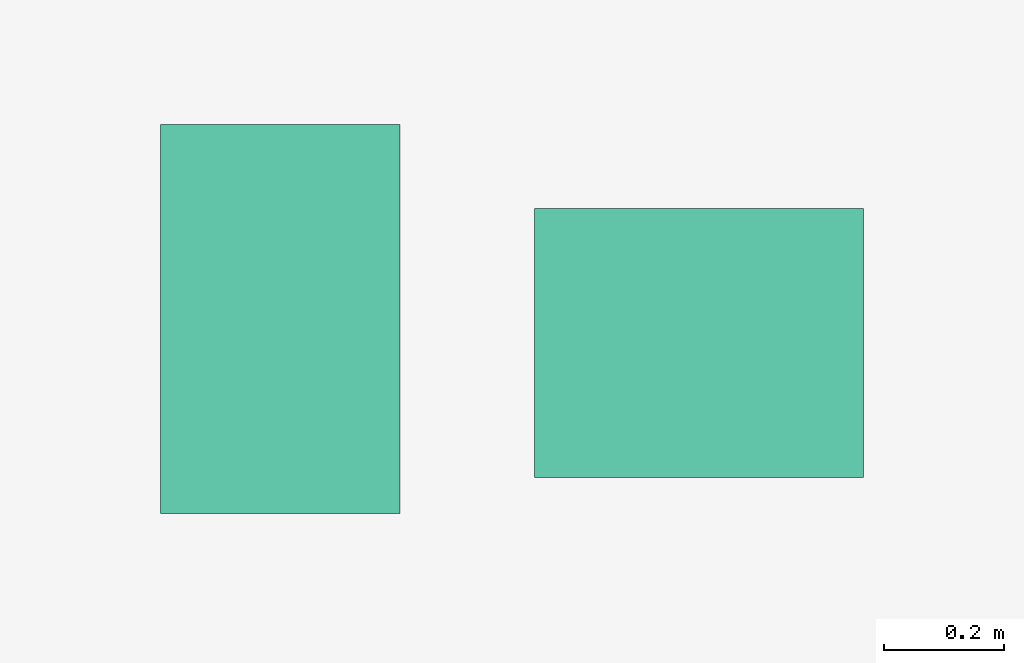
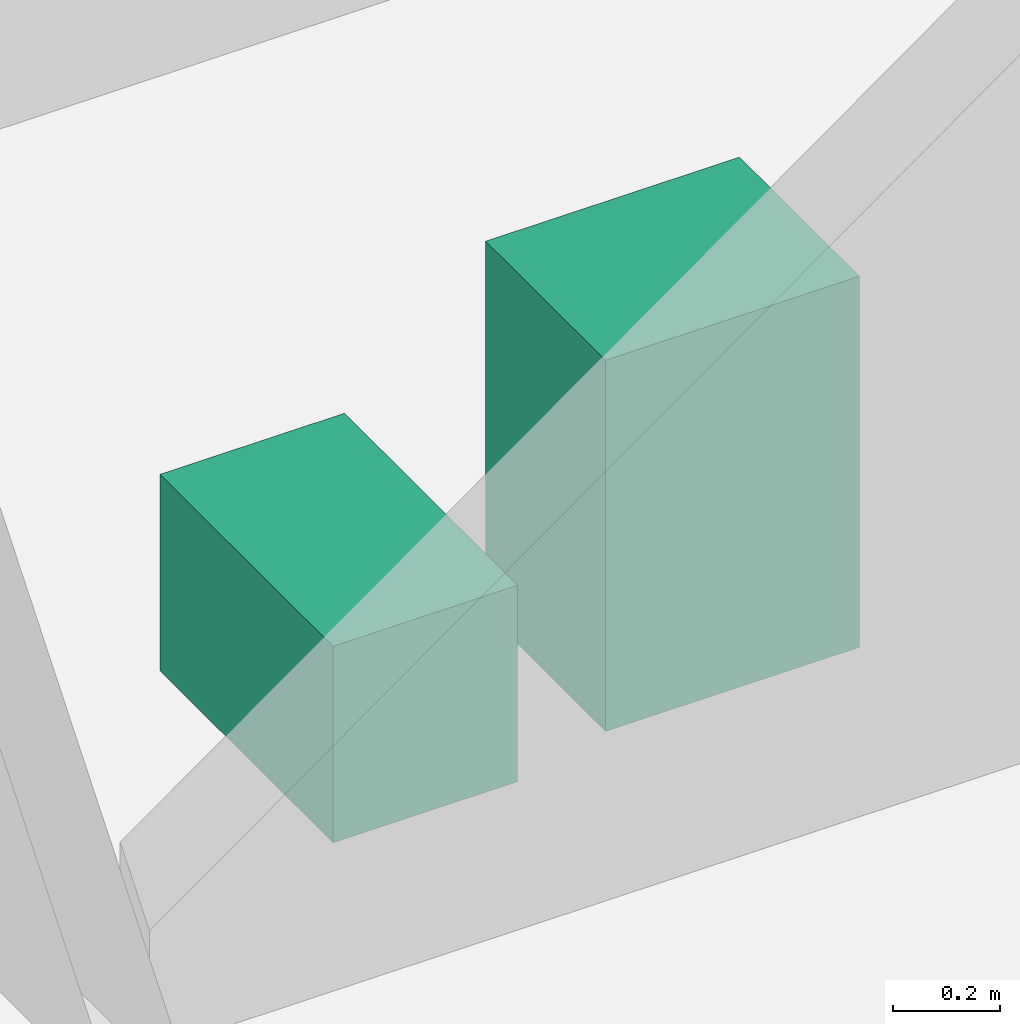
# One storey, part 5 of 5: 2 sanitary terminals.
"""IFC4 building model written with IfcOpenShell, lengths in metres."""

import ifcopenshell
import ifcopenshell.guid

model = None  # the IFC model being written
_history = None  # IfcOwnerHistory: only IFC2X3 demands one
_inside = {}  # id of a spatial element -> (the spatial element, [elements in it])
_under = {}  # id of a project, library or spatial element -> (it, [spatial elements below it])
_declared = {}  # id of a project -> (the project, [libraries it declares])
_typed = {}  # id of a type object -> (the type object, [elements of that type])
_made_of = {}  # id of a material, layer set ... -> (it, [elements and type objects made of it])


def new_model(schema):
    """Start an empty IFC model of exactly this schema.

    Asked for "IFC4X3", IfcOpenShell would pick the latest addendum, in which some entities
    have other attributes; the version numbers below select the first issue.
    IFC2X3 requires an IfcOwnerHistory on every rooted entity: one is made here for all.
    """
    global model, _history
    if schema == "IFC4X3":
        model = ifcopenshell.file(schema_version=(4, 3, 0, 0))
    else:
        model = ifcopenshell.file(schema=schema)
    _inside.clear()
    _under.clear()
    _declared.clear()
    _typed.clear()
    _made_of.clear()
    _history = None
    if model.schema == "IFC2X3":
        org = make("IfcOrganization", Name="unknown")
        user = make(
            "IfcPersonAndOrganization",
            ThePerson=make("IfcPerson", FamilyName="unknown"),
            TheOrganization=org,
        )
        app = make(
            "IfcApplication",
            ApplicationDeveloper=org,
            Version="unknown",
            ApplicationFullName="unknown",
            ApplicationIdentifier="unknown",
        )
        _history = make(
            "IfcOwnerHistory",
            OwningUser=user,
            OwningApplication=app,
            ChangeAction="ADDED",
            CreationDate=0,
        )
    return model


def make(cls, **values):
    """One entity of the class cls with the attributes given. An attribute that is None is left unset."""
    return model.create_entity(
        cls, **{name: value for name, value in values.items() if value is not None}
    )


def rooted(cls, **values):
    """An entity with a GlobalId (a new one), such as an element, a storey or a relation."""
    return make(cls, GlobalId=ifcopenshell.guid.new(), OwnerHistory=_history, **values)


def si_unit(unit_type, name, prefix=None):
    """IfcSIUnit, for example si_unit("LENGTHUNIT", "METRE", prefix="MILLI")."""
    return make("IfcSIUnit", UnitType=unit_type, Prefix=prefix, Name=name)


def assignment(units):
    """IfcUnitAssignment: the units of a project."""
    return None if units is None else make("IfcUnitAssignment", Units=units)


def point(xyz):
    """IfcCartesianPoint."""
    return None if xyz is None else make("IfcCartesianPoint", Coordinates=xyz)


def direction(xyz):
    """IfcDirection."""
    return None if xyz is None else make("IfcDirection", DirectionRatios=xyz)


def frame(location, z_axis=None, x_axis=None):
    """IfcAxis2Placement3D, a coordinate frame: its origin and axes. An axis left out is left unset."""
    return make(
        "IfcAxis2Placement3D",
        Location=point(location),
        Axis=direction(z_axis),
        RefDirection=direction(x_axis),
    )


def frame_2d(location, x_axis=None):
    """IfcAxis2Placement2D, a coordinate frame in the plane: its origin and x axis."""
    return make(
        "IfcAxis2Placement2D", Location=point(location), RefDirection=direction(x_axis)
    )


def origin():
    """The frame at (0, 0, 0) with its axes left unset."""
    return frame((0.0, 0.0, 0.0))


def origin_2d():
    """The frame at (0, 0) in the plane with its x axis left unset."""
    return frame_2d((0.0, 0.0))


def place(relative_to, where):
    """IfcLocalPlacement: puts the frame where relative to a parent placement (None: the world)."""
    return make(
        "IfcLocalPlacement", PlacementRelTo=relative_to, RelativePlacement=where
    )


def context(
    kind, dimensions, precision=None, world=None, true_north=None, identifier=None
):
    """IfcGeometricRepresentationContext, for example the 3D "Model" context."""
    return make(
        "IfcGeometricRepresentationContext",
        ContextIdentifier=identifier,
        ContextType=kind,
        CoordinateSpaceDimension=dimensions,
        Precision=precision,
        WorldCoordinateSystem=world,
        TrueNorth=true_north,
    )


def subcontext(parent, identifier, kind, view, scale=None):
    """IfcGeometricRepresentationSubContext, for example "Body" below "Model"."""
    return make(
        "IfcGeometricRepresentationSubContext",
        ContextIdentifier=identifier,
        ContextType=kind,
        ParentContext=parent,
        TargetScale=scale,
        TargetView=view,
    )


def project(units=None, contexts=None):
    """IfcProject with its units and contexts."""
    return rooted(
        "IfcProject",
        Name="project",
        RepresentationContexts=contexts,
        UnitsInContext=assignment(units),
    )


def spatial(cls, under=None, at=None, **own):
    """A site, building, storey or space (cls), placed at a placement, below another one or the project."""
    s = rooted(cls, ObjectPlacement=at, **own)
    if under is not None:
        _under.setdefault(under.id(), (under, []))[1].append(s)
    return s


def profile(cls, at=None, kind="AREA", **sizes):
    """A parametric profile (cls). Its sizes go by their IFC names, for example OverallWidth=200.0."""
    return make(cls, ProfileType=kind, Position=at, **sizes)


def rectangle(**sizes):
    """IfcRectangleProfileDef."""
    return profile("IfcRectangleProfileDef", **sizes)


def extrude(swept, where, along, depth):
    """IfcExtrudedAreaSolid: the profile swept, set in the frame where, extruded along a direction by depth."""
    return make(
        "IfcExtrudedAreaSolid",
        SweptArea=swept,
        Position=where,
        ExtrudedDirection=direction(along),
        Depth=depth,
    )


def shape(context_of_items, identifier, shape_type, items):
    """IfcShapeRepresentation: the items that make up one representation, for example the "Body"."""
    return make(
        "IfcShapeRepresentation",
        ContextOfItems=context_of_items,
        RepresentationIdentifier=identifier,
        RepresentationType=shape_type,
        Items=items,
    )


def material(Name=None, Category=None):
    """IfcMaterial."""
    return make("IfcMaterial", Name=Name, Category=Category)


def made_of(thing, what):
    """Note that an element or type object is made of a material, layer set ...; save() writes the relation."""
    if what is not None:
        _made_of.setdefault(what.id(), (what, []))[1].append(thing)
    return thing


def type_object(cls, material=None, **own):
    """A type object (cls), such as IfcWallType, which elements share."""
    return made_of(rooted(cls, **own), material)


def element(
    cls,
    number,
    at=None,
    inside=None,
    cuts=None,
    type_object=None,
    material=None,
    context=None,
    identifier="Body",
    shape_type=None,
    held_by="IfcProductDefinitionShape",
    body=None,
    shapes=None,
    **own,
):
    """One element of the class cls, such as IfcWall. Its Tag is "e" and its number.

    at: its placement. inside: the storey or other place that contains it. cuts: it is an
    opening in that element (IfcRelVoidsElement). A single representation is given by context,
    identifier, shape_type and body (its items); several are given by shapes. held_by: the class
    of the entity that holds the representations. save() writes the other relations.
    """
    e = rooted(cls, Tag="e%d" % number, ObjectPlacement=at, **own)
    if body is not None:
        shapes = [shape(context, identifier, shape_type, body)]
    if shapes is not None:
        e.Representation = make(held_by, Representations=shapes)
    if inside is not None:
        _inside.setdefault(inside.id(), (inside, []))[1].append(e)
    if cuts is not None:
        rooted(
            "IfcRelVoidsElement", RelatingBuildingElement=cuts, RelatedOpeningElement=e
        )
    if type_object is not None:
        _typed.setdefault(type_object.id(), (type_object, []))[1].append(e)
    return made_of(e, material)


def aggregate(whole, parts):
    """IfcRelAggregates: a whole, such as a stair, and the parts it consists of."""
    return rooted("IfcRelAggregates", RelatingObject=whole, RelatedObjects=parts)


def save(model, path):
    """Write the relations noted so far, then the file.

    IfcRelAggregates (storeys below a building ...), IfcRelContainedInSpatialStructure (elements
    in a storey), IfcRelDefinesByType, IfcRelAssociatesMaterial and IfcRelDeclares: one each for
    every whole, place, type object, material and project.
    """
    for whole, parts in _under.values():
        aggregate(whole, parts)
    for where, things in _inside.values():
        rooted(
            "IfcRelContainedInSpatialStructure",
            RelatedElements=things,
            RelatingStructure=where,
        )
    for kind, things in _typed.values():
        rooted("IfcRelDefinesByType", RelatedObjects=things, RelatingType=kind)
    for what, things in _made_of.values():
        rooted("IfcRelAssociatesMaterial", RelatedObjects=things, RelatingMaterial=what)
    for by, libraries in _declared.values():
        rooted("IfcRelDeclares", RelatingContext=by, RelatedDefinitions=libraries)
    model.write(path)


model = new_model("IFC4")

# Units and contexts
model_context = context("Model", 3, precision=1e-05, world=origin(), true_north=direction((0.0, 1.0)))
body_context = subcontext(model_context, "Body", "Model", "MODEL_VIEW")
ifc_project = project(units=[si_unit("LENGTHUNIT", "METRE"), si_unit("AREAUNIT", "SQUARE_METRE"), si_unit("VOLUMEUNIT", "CUBIC_METRE"), si_unit("PLANEANGLEUNIT", "RADIAN"), si_unit("MASSUNIT", "GRAM", prefix="KILO")], contexts=[model_context])

# Site, building, storey
site_placement = place(None, origin())
site = spatial("IfcSite", under=ifc_project, at=site_placement, CompositionType="ELEMENT")
building_placement = place(site_placement, origin())
building = spatial("IfcBuilding", under=site, at=building_placement, Name="Trelvath General Hospital", CompositionType="ELEMENT")
storey_placement = place(building_placement, frame((0.0, 0.0, 33.0)))
storey = spatial("IfcBuildingStorey", under=building, at=storey_placement, Name="RF", CompositionType="ELEMENT", Elevation=33.0)

# Sanitary terminals
ifc_material_1 = material(Name="Sanitary glazed porcelain")
sanitary_terminal_type_1 = type_object("IfcSanitaryTerminalType", Name="Sanitary Basin", PredefinedType="WASHHANDBASIN", material=ifc_material_1)
sanitary_terminal_1_placement = place(storey_placement, frame((68.820068359375, 106.989990234375, 0.0), z_axis=(0.0, 0.0, 1.0), x_axis=(1.0, 0.0, 0.0)))
element("IfcSanitaryTerminal", 1, at=sanitary_terminal_1_placement, inside=storey, type_object=sanitary_terminal_type_1, Name="Pedestal Washbasin FIT-RF-AERO-WC", PredefinedType="WASHHANDBASIN", context=body_context, shape_type="SweptSolid", body=[
    extrude(rectangle(XDim=0.550048828125, YDim=0.449951171875, at=origin_2d()), origin(), (0.0, 0.0, 1.0), 0.85009765625),
])
ifc_material_2 = material(Name="Sanitary glazed porcelain")
sanitary_terminal_type_2 = type_object("IfcSanitaryTerminalType", Name="Sanitary WC", PredefinedType="TOILETPAN", material=ifc_material_2)
sanitary_terminal_2_placement = place(storey_placement, frame((68.1201171875, 107.030029296875, 0.0), z_axis=(0.0, 0.0, 1.0), x_axis=(1.0, 0.0, 0.0)))
element("IfcSanitaryTerminal", 2, at=sanitary_terminal_2_placement, inside=storey, type_object=sanitary_terminal_type_2, Name="WC Pan FIT-RF-AERO-WC", PredefinedType="TOILETPAN", context=body_context, shape_type="SweptSolid", body=[
    extrude(rectangle(XDim=0.39990234375, YDim=0.64990234375, at=origin_2d()), origin(), (0.0, 0.0, 1.0), 0.449951171875),
])

save(model, "model.ifc")
